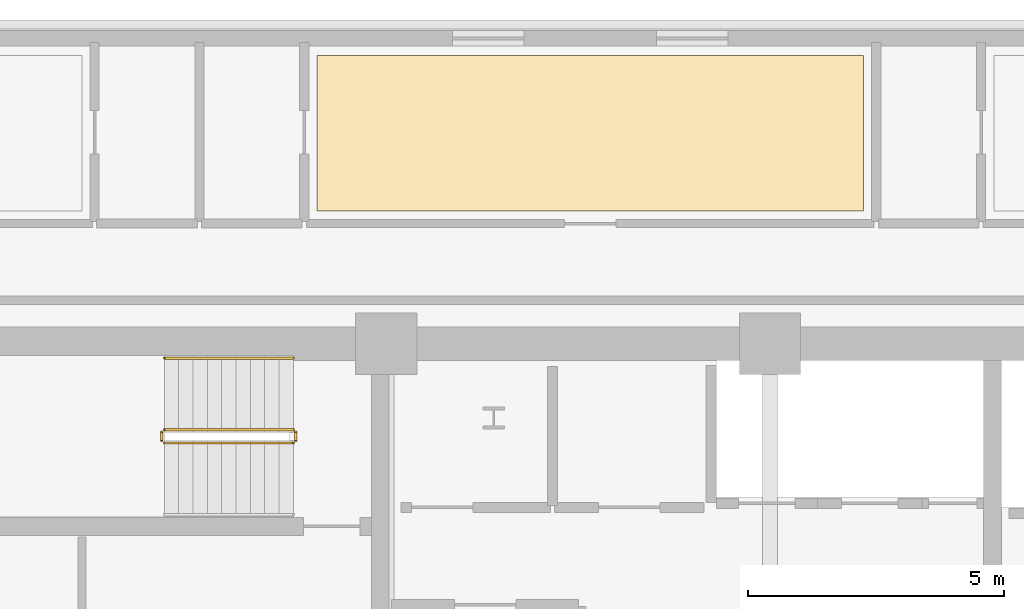
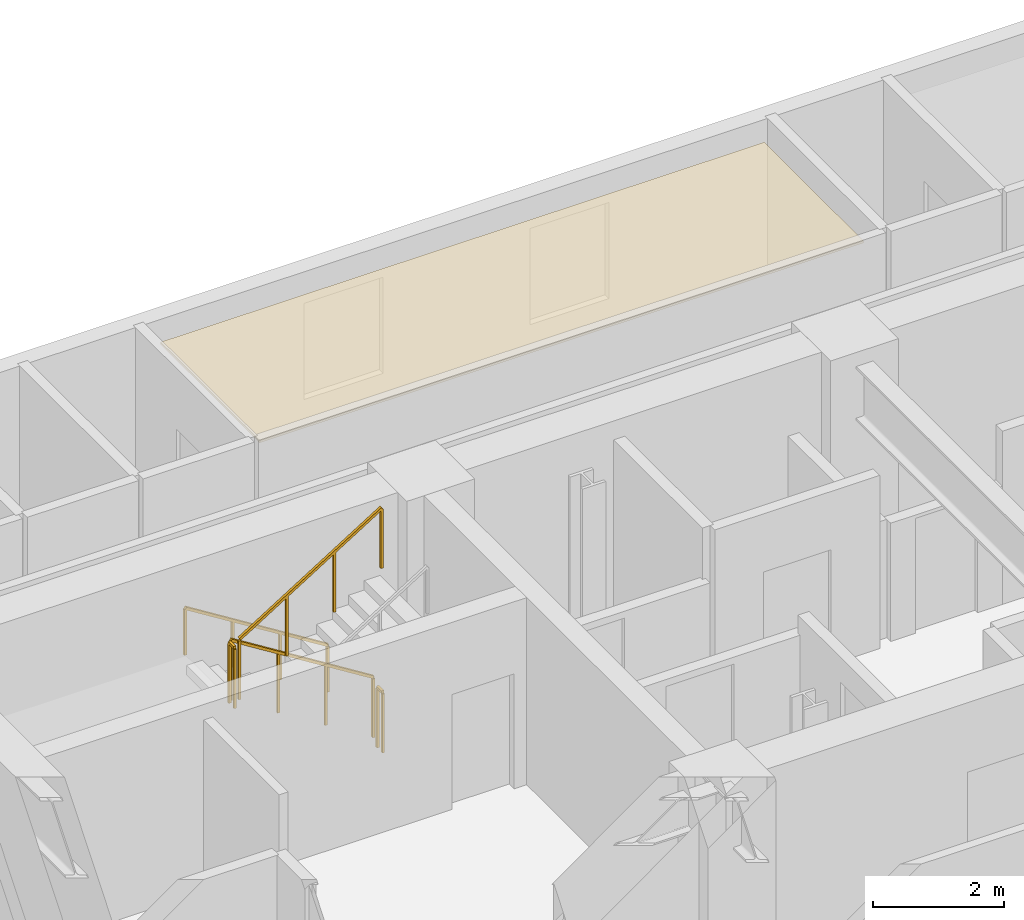
# One storey, part 13 of 14: 5 railings, 1 covering.
"""IFC4 building model written with IfcOpenShell, lengths in metres."""

from ifc_helpers import new_model, si_unit, direction, frame, origin, origin_2d, place, context, subcontext, project, spatial, polyline, rectangle, outline, extrude, material, layer, layer_set, type_object, element, save


model = new_model("IFC4")

# Units and contexts
model_context = context("Model", 3, precision=1e-05, world=origin(), true_north=direction((0.0, 1.0)))
body_context = subcontext(model_context, "Body", "Model", "MODEL_VIEW")
ifc_project = project(units=[si_unit("LENGTHUNIT", "METRE"), si_unit("AREAUNIT", "SQUARE_METRE"), si_unit("VOLUMEUNIT", "CUBIC_METRE"), si_unit("PLANEANGLEUNIT", "RADIAN"), si_unit("MASSUNIT", "GRAM", prefix="KILO")], contexts=[model_context])

# Site, building, storey
site_placement = place(None, origin())
site = spatial("IfcSite", under=ifc_project, at=site_placement, CompositionType="ELEMENT")
building_placement = place(site_placement, origin())
building = spatial("IfcBuilding", under=site, at=building_placement, Name="Zarnavel Station Tower", CompositionType="ELEMENT")
storey_placement = place(building_placement, frame((0.0, 0.0, 122.300048828125)))
storey = spatial("IfcBuildingStorey", under=building, at=storey_placement, Name="L33", CompositionType="ELEMENT", Elevation=122.300048828125)

# Covering
ifc_material_1 = material(Name="Perforated Gypsum and Mineral-Wool Acoustic Ceiling", Category="concrete")
ifc_layer = layer(ifc_material_1, 0.0400390625)
ifc_layer_set = layer_set([ifc_layer], Name="COV_CEIL_ACOUSTIC")
covering_type = type_object("IfcCoveringType", Name="COV_CEIL_ACOUSTIC", PredefinedType="CEILING", material=ifc_layer_set)
covering_placement = place(storey_placement, frame((0.0, 0.0, 2.919921875)))
element("IfcCovering", 1, at=covering_placement, inside=storey, type_object=covering_type, Name="L33 HN2R Acoustic Ceiling", PredefinedType="CEILING", context=body_context, shape_type="SweptSolid", body=[
    extrude(outline(polyline([(19.945068359375, 39.64990234375), (30.626953125, 39.64990234375), (30.626953125, 42.68994140625), (19.945068359375, 42.68994140625), (19.945068359375, 39.64990234375)])), origin(), (0.0, 0.0, 1.0), 0.0400390625),
])

# Railings
ifc_material_2 = material(Name="Painted Steel S355J2 Balustrade", Category="steel")
railing_type_1 = type_object("IfcRailingType", Name="GR_INT_1150", PredefinedType="GUARDRAIL", material=ifc_material_2)
railing_1_placement = place(storey_placement, frame((19.47998046875, 35.3701171875, 0.175048828125)))
element("IfcRailing", 2, at=railing_1_placement, inside=storey, type_object=railing_type_1, Name="L33 ST1 stair guard 1", PredefinedType="GUARDRAIL", context=body_context, shape_type="SweptSolid", body=[
    extrude(rectangle(XDim=0.048095703125, YDim=0.048095703125, at=origin_2d()), frame((-0.001708984375, 0.0, 1.126953125), z_axis=(-0.848007534815, 0.0, 0.529984170421), x_axis=(0.0, -1.0, 0.0)), (0.0, 0.0, 1.0), 2.9677734375),
    extrude(rectangle(XDim=0.0419921875, YDim=0.0419921875, at=origin_2d()), origin(), (0.0, 0.0, 1.0), 1.101806640625),
    extrude(rectangle(XDim=0.0419921875, YDim=0.0419921875, at=origin_2d()), frame((-0.840087890625, 0.0, 0.52490234375)), (0.0, 0.0, 1.0), 1.101806640625),
    extrude(rectangle(XDim=0.0419921875, YDim=0.0419921875, at=origin_2d()), frame((-1.679931640625, 0.0, 1.050048828125)), (0.0, 0.0, 1.0), 1.101806640625),
    extrude(rectangle(XDim=0.0419921875, YDim=0.0419921875, at=origin_2d()), frame((-2.52001953125, 0.0, 1.574951171875)), (0.0, 0.0, 1.0), 1.101806640625),
])
railing_2_placement = place(storey_placement, frame((16.909912109375, 35.320068359375, 1.75)))
element("IfcRailing", 3, at=railing_2_placement, inside=storey, type_object=railing_type_1, Name="L33 ST1 stair guard 2", PredefinedType="GUARDRAIL", context=body_context, shape_type="SweptSolid", body=[
    extrude(rectangle(XDim=0.048095703125, YDim=0.048095703125, at=origin_2d()), frame((0.0, -0.001953125, 1.1259765625), z_axis=(0.0, -1.0, 0.0), x_axis=(1.0, 0.0, 0.0)), (0.0, 0.0, 1.0), 0.15625),
    extrude(rectangle(XDim=0.0419921875, YDim=0.0419921875, at=origin_2d()), origin(), (0.0, 0.0, 1.0), 1.101806640625),
    extrude(rectangle(XDim=0.0419921875, YDim=0.0419921875, at=origin_2d()), frame((0.0, -0.16015625, 0.0)), (0.0, 0.0, 1.0), 1.101806640625),
])
railing_3_placement = place(storey_placement, frame((16.9599609375, 35.110107421875, 1.925048828125)))
element("IfcRailing", 4, at=railing_3_placement, inside=storey, type_object=railing_type_1, Name="L33 ST1 stair guard 3", PredefinedType="GUARDRAIL", context=body_context, shape_type="SweptSolid", body=[
    extrude(rectangle(XDim=0.048095703125, YDim=0.048095703125, at=origin_2d()), frame((0.001708984375, 0.0, 1.126953125), z_axis=(0.848007534815, 0.0, 0.529984170421), x_axis=(0.0, 1.0, 0.0)), (0.0, 0.0, 1.0), 2.9677734375),
    extrude(rectangle(XDim=0.0419921875, YDim=0.0419921875, at=origin_2d()), origin(), (0.0, 0.0, 1.0), 1.101806640625),
    extrude(rectangle(XDim=0.0419921875, YDim=0.0419921875, at=origin_2d()), frame((0.840087890625, 0.0, 0.52490234375)), (0.0, 0.0, 1.0), 1.101806640625),
    extrude(rectangle(XDim=0.0419921875, YDim=0.0419921875, at=origin_2d()), frame((1.679931640625, 0.0, 1.050048828125)), (0.0, 0.0, 1.0), 1.101806640625),
    extrude(rectangle(XDim=0.0419921875, YDim=0.0419921875, at=origin_2d()), frame((2.52001953125, 0.0, 1.574951171875)), (0.0, 0.0, 1.0), 1.101806640625),
])
railing_4_placement = place(storey_placement, frame((19.530029296875, 35.320068359375, 0.0)))
element("IfcRailing", 5, at=railing_4_placement, inside=storey, type_object=railing_type_1, Name="L33 ST1 stair guard 4", PredefinedType="GUARDRAIL", context=body_context, shape_type="SweptSolid", body=[
    extrude(rectangle(XDim=0.048095703125, YDim=0.048095703125, at=origin_2d()), frame((0.0, -0.001953125, 1.1259765625), z_axis=(0.0, -1.0, 0.0), x_axis=(1.0, 0.0, 0.0)), (0.0, 0.0, 1.0), 0.15625),
    extrude(rectangle(XDim=0.0419921875, YDim=0.0419921875, at=origin_2d()), origin(), (0.0, 0.0, 1.0), 1.101806640625),
    extrude(rectangle(XDim=0.0419921875, YDim=0.0419921875, at=origin_2d()), frame((0.0, -0.16015625, 0.0)), (0.0, 0.0, 1.0), 1.101806640625),
])
ifc_material_3 = material(Name="Brushed Stainless Steel S355J2 Handrail", Category="steel")
railing_type_2 = type_object("IfcRailingType", Name="HR_STAIR_900", PredefinedType="HANDRAIL", material=ifc_material_3)
railing_5_placement = place(storey_placement, frame((19.47998046875, 36.77001953125, 0.175048828125)))
element("IfcRailing", 6, at=railing_5_placement, inside=storey, type_object=railing_type_2, Name="L33 ST1 stair handrail 1", PredefinedType="HANDRAIL", context=body_context, shape_type="SweptSolid", body=[
    extrude(rectangle(XDim=0.048095703125, YDim=0.048095703125, at=origin_2d()), frame((-0.001708984375, 0.0, 0.876953125), z_axis=(-0.848007534815, 0.0, 0.529984170421), x_axis=(0.0, -1.0, 0.0)), (0.0, 0.0, 1.0), 2.9677734375),
    extrude(rectangle(XDim=0.0419921875, YDim=0.0419921875, at=origin_2d()), origin(), (0.0, 0.0, 1.0), 0.851806640625),
    extrude(rectangle(XDim=0.0419921875, YDim=0.0419921875, at=origin_2d()), frame((-0.840087890625, 0.0, 0.52490234375)), (0.0, 0.0, 1.0), 0.851806640625),
    extrude(rectangle(XDim=0.0419921875, YDim=0.0419921875, at=origin_2d()), frame((-1.679931640625, 0.0, 1.050048828125)), (0.0, 0.0, 1.0), 0.851806640625),
    extrude(rectangle(XDim=0.0419921875, YDim=0.0419921875, at=origin_2d()), frame((-2.52001953125, 0.0, 1.574951171875)), (0.0, 0.0, 1.0), 0.851806640625),
])

save(model, "model.ifc")
